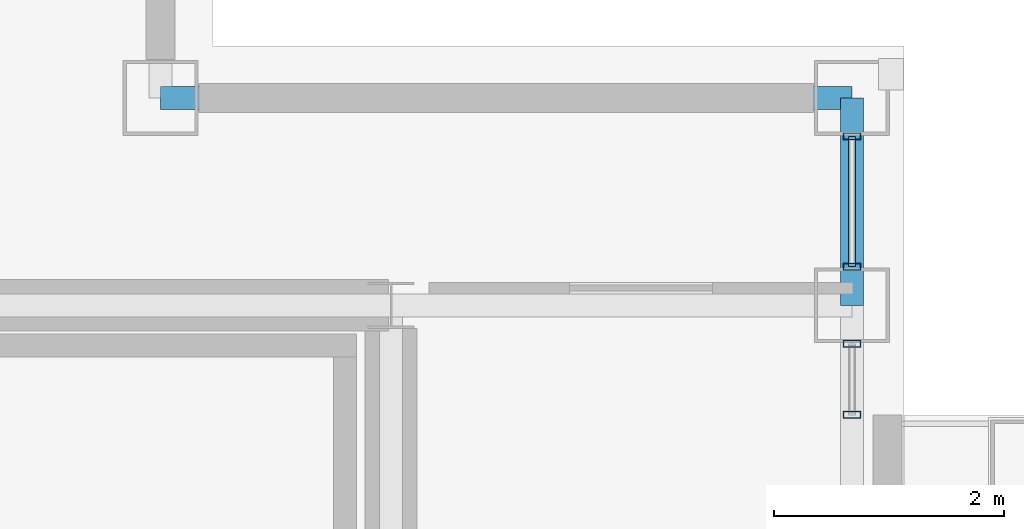
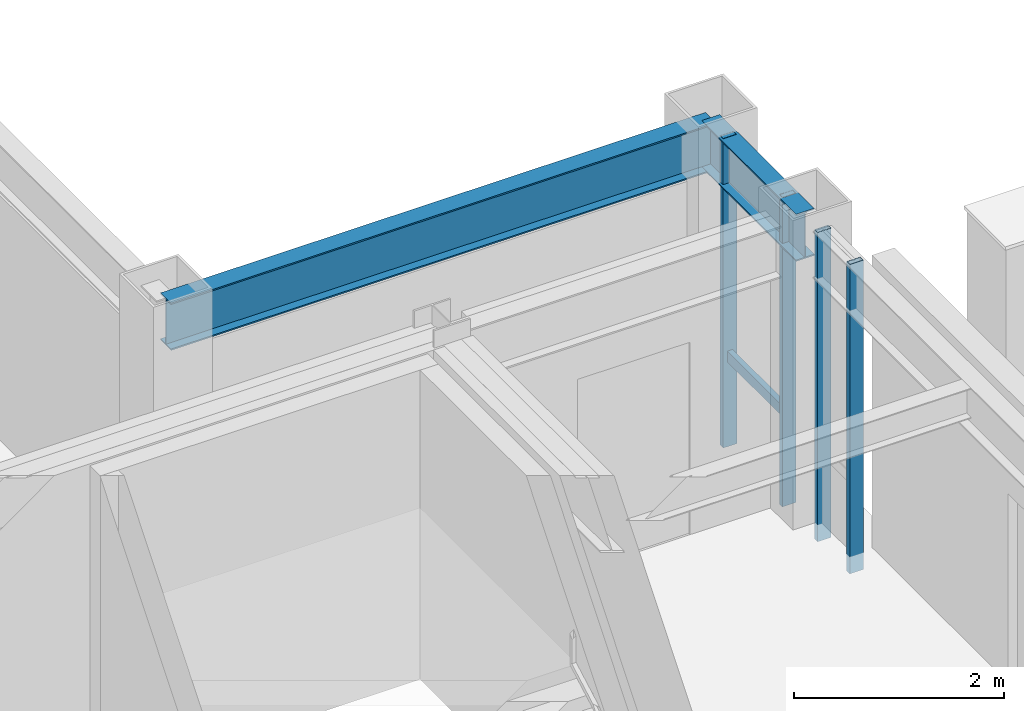
# One storey, part 13 of 24: 5 members, 2 beams, 2 elements without a shape of their own.
"""IFC4 building model written with IfcOpenShell, lengths in metres."""

import ifcopenshell
import ifcopenshell.guid

model = None  # the IFC model being written
_history = None  # IfcOwnerHistory: only IFC2X3 demands one
_inside = {}  # id of a spatial element -> (the spatial element, [elements in it])
_under = {}  # id of a project, library or spatial element -> (it, [spatial elements below it])
_declared = {}  # id of a project -> (the project, [libraries it declares])
_typed = {}  # id of a type object -> (the type object, [elements of that type])
_made_of = {}  # id of a material, layer set ... -> (it, [elements and type objects made of it])


def new_model(schema):
    """Start an empty IFC model of exactly this schema.

    Asked for "IFC4X3", IfcOpenShell would pick the latest addendum, in which some entities
    have other attributes; the version numbers below select the first issue.
    IFC2X3 requires an IfcOwnerHistory on every rooted entity: one is made here for all.
    """
    global model, _history
    if schema == "IFC4X3":
        model = ifcopenshell.file(schema_version=(4, 3, 0, 0))
    else:
        model = ifcopenshell.file(schema=schema)
    _inside.clear()
    _under.clear()
    _declared.clear()
    _typed.clear()
    _made_of.clear()
    _history = None
    if model.schema == "IFC2X3":
        org = make("IfcOrganization", Name="unknown")
        user = make(
            "IfcPersonAndOrganization",
            ThePerson=make("IfcPerson", FamilyName="unknown"),
            TheOrganization=org,
        )
        app = make(
            "IfcApplication",
            ApplicationDeveloper=org,
            Version="unknown",
            ApplicationFullName="unknown",
            ApplicationIdentifier="unknown",
        )
        _history = make(
            "IfcOwnerHistory",
            OwningUser=user,
            OwningApplication=app,
            ChangeAction="ADDED",
            CreationDate=0,
        )
    return model


def make(cls, **values):
    """One entity of the class cls with the attributes given. An attribute that is None is left unset."""
    return model.create_entity(
        cls, **{name: value for name, value in values.items() if value is not None}
    )


def rooted(cls, **values):
    """An entity with a GlobalId (a new one), such as an element, a storey or a relation."""
    return make(cls, GlobalId=ifcopenshell.guid.new(), OwnerHistory=_history, **values)


def si_unit(unit_type, name, prefix=None):
    """IfcSIUnit, for example si_unit("LENGTHUNIT", "METRE", prefix="MILLI")."""
    return make("IfcSIUnit", UnitType=unit_type, Prefix=prefix, Name=name)


def assignment(units):
    """IfcUnitAssignment: the units of a project."""
    return None if units is None else make("IfcUnitAssignment", Units=units)


def point(xyz):
    """IfcCartesianPoint."""
    return None if xyz is None else make("IfcCartesianPoint", Coordinates=xyz)


def direction(xyz):
    """IfcDirection."""
    return None if xyz is None else make("IfcDirection", DirectionRatios=xyz)


def frame(location, z_axis=None, x_axis=None):
    """IfcAxis2Placement3D, a coordinate frame: its origin and axes. An axis left out is left unset."""
    return make(
        "IfcAxis2Placement3D",
        Location=point(location),
        Axis=direction(z_axis),
        RefDirection=direction(x_axis),
    )


def frame_2d(location, x_axis=None):
    """IfcAxis2Placement2D, a coordinate frame in the plane: its origin and x axis."""
    return make(
        "IfcAxis2Placement2D", Location=point(location), RefDirection=direction(x_axis)
    )


def origin():
    """The frame at (0, 0, 0) with its axes left unset."""
    return frame((0.0, 0.0, 0.0))


def origin_2d():
    """The frame at (0, 0) in the plane with its x axis left unset."""
    return frame_2d((0.0, 0.0))


def place(relative_to, where):
    """IfcLocalPlacement: puts the frame where relative to a parent placement (None: the world)."""
    return make(
        "IfcLocalPlacement", PlacementRelTo=relative_to, RelativePlacement=where
    )


def context(
    kind, dimensions, precision=None, world=None, true_north=None, identifier=None
):
    """IfcGeometricRepresentationContext, for example the 3D "Model" context."""
    return make(
        "IfcGeometricRepresentationContext",
        ContextIdentifier=identifier,
        ContextType=kind,
        CoordinateSpaceDimension=dimensions,
        Precision=precision,
        WorldCoordinateSystem=world,
        TrueNorth=true_north,
    )


def subcontext(parent, identifier, kind, view, scale=None):
    """IfcGeometricRepresentationSubContext, for example "Body" below "Model"."""
    return make(
        "IfcGeometricRepresentationSubContext",
        ContextIdentifier=identifier,
        ContextType=kind,
        ParentContext=parent,
        TargetScale=scale,
        TargetView=view,
    )


def project(units=None, contexts=None):
    """IfcProject with its units and contexts."""
    return rooted(
        "IfcProject",
        Name="project",
        RepresentationContexts=contexts,
        UnitsInContext=assignment(units),
    )


def spatial(cls, under=None, at=None, **own):
    """A site, building, storey or space (cls), placed at a placement, below another one or the project."""
    s = rooted(cls, ObjectPlacement=at, **own)
    if under is not None:
        _under.setdefault(under.id(), (under, []))[1].append(s)
    return s


def profile(cls, at=None, kind="AREA", **sizes):
    """A parametric profile (cls). Its sizes go by their IFC names, for example OverallWidth=200.0."""
    return make(cls, ProfileType=kind, Position=at, **sizes)


def hollow_rectangle(**sizes):
    """IfcRectangleHollowProfileDef."""
    return profile("IfcRectangleHollowProfileDef", **sizes)


def i_section(**sizes):
    """IfcIShapeProfileDef."""
    return profile("IfcIShapeProfileDef", **sizes)


def extrude(swept, where, along, depth):
    """IfcExtrudedAreaSolid: the profile swept, set in the frame where, extruded along a direction by depth."""
    return make(
        "IfcExtrudedAreaSolid",
        SweptArea=swept,
        Position=where,
        ExtrudedDirection=direction(along),
        Depth=depth,
    )


def shape(context_of_items, identifier, shape_type, items):
    """IfcShapeRepresentation: the items that make up one representation, for example the "Body"."""
    return make(
        "IfcShapeRepresentation",
        ContextOfItems=context_of_items,
        RepresentationIdentifier=identifier,
        RepresentationType=shape_type,
        Items=items,
    )


def material(Name=None, Category=None):
    """IfcMaterial."""
    return make("IfcMaterial", Name=Name, Category=Category)


def layer(
    of_material, thickness, ventilated=None, Name=None, Category=None, Priority=None
):
    """IfcMaterialLayer: one layer of a wall or slab, of a material (None: an air gap)."""
    return make(
        "IfcMaterialLayer",
        Material=of_material,
        LayerThickness=thickness,
        IsVentilated=ventilated,
        Name=Name,
        Category=Category,
        Priority=Priority,
    )


def layer_set(layers, Name=None):
    """IfcMaterialLayerSet."""
    return make("IfcMaterialLayerSet", MaterialLayers=layers, LayerSetName=Name)


def material_profile(
    of_material, cross_section, Name=None, Category=None, Priority=None
):
    """IfcMaterialProfile: a cross section and its material."""
    return make(
        "IfcMaterialProfile",
        Name=Name,
        Material=of_material,
        Profile=cross_section,
        Priority=Priority,
        Category=Category,
    )


def profile_set(profiles, Name=None, composite=None):
    """IfcMaterialProfileSet."""
    return make(
        "IfcMaterialProfileSet",
        Name=Name,
        MaterialProfiles=profiles,
        CompositeProfile=composite,
    )


def made_of(thing, what):
    """Note that an element or type object is made of a material, layer set ...; save() writes the relation."""
    if what is not None:
        _made_of.setdefault(what.id(), (what, []))[1].append(thing)
    return thing


def type_object(cls, material=None, **own):
    """A type object (cls), such as IfcWallType, which elements share."""
    return made_of(rooted(cls, **own), material)


def element(
    cls,
    number,
    at=None,
    inside=None,
    cuts=None,
    type_object=None,
    material=None,
    context=None,
    identifier="Body",
    shape_type=None,
    held_by="IfcProductDefinitionShape",
    body=None,
    shapes=None,
    **own,
):
    """One element of the class cls, such as IfcWall. Its Tag is "e" and its number.

    at: its placement. inside: the storey or other place that contains it. cuts: it is an
    opening in that element (IfcRelVoidsElement). A single representation is given by context,
    identifier, shape_type and body (its items); several are given by shapes. held_by: the class
    of the entity that holds the representations. save() writes the other relations.
    """
    e = rooted(cls, Tag="e%d" % number, ObjectPlacement=at, **own)
    if body is not None:
        shapes = [shape(context, identifier, shape_type, body)]
    if shapes is not None:
        e.Representation = make(held_by, Representations=shapes)
    if inside is not None:
        _inside.setdefault(inside.id(), (inside, []))[1].append(e)
    if cuts is not None:
        rooted(
            "IfcRelVoidsElement", RelatingBuildingElement=cuts, RelatedOpeningElement=e
        )
    if type_object is not None:
        _typed.setdefault(type_object.id(), (type_object, []))[1].append(e)
    return made_of(e, material)


def aggregate(whole, parts):
    """IfcRelAggregates: a whole, such as a stair, and the parts it consists of."""
    return rooted("IfcRelAggregates", RelatingObject=whole, RelatedObjects=parts)


def save(model, path):
    """Write the relations noted so far, then the file.

    IfcRelAggregates (storeys below a building ...), IfcRelContainedInSpatialStructure (elements
    in a storey), IfcRelDefinesByType, IfcRelAssociatesMaterial and IfcRelDeclares: one each for
    every whole, place, type object, material and project.
    """
    for whole, parts in _under.values():
        aggregate(whole, parts)
    for where, things in _inside.values():
        rooted(
            "IfcRelContainedInSpatialStructure",
            RelatedElements=things,
            RelatingStructure=where,
        )
    for kind, things in _typed.values():
        rooted("IfcRelDefinesByType", RelatedObjects=things, RelatingType=kind)
    for what, things in _made_of.values():
        rooted("IfcRelAssociatesMaterial", RelatedObjects=things, RelatingMaterial=what)
    for by, libraries in _declared.values():
        rooted("IfcRelDeclares", RelatingContext=by, RelatedDefinitions=libraries)
    model.write(path)


model = new_model("IFC4")

# Units and contexts
model_context = context("Model", 3, precision=1e-05, world=origin(), true_north=direction((0.0, 1.0)))
body_context = subcontext(model_context, "Body", "Model", "MODEL_VIEW")
ifc_project = project(units=[si_unit("LENGTHUNIT", "METRE"), si_unit("AREAUNIT", "SQUARE_METRE"), si_unit("VOLUMEUNIT", "CUBIC_METRE"), si_unit("PLANEANGLEUNIT", "RADIAN"), si_unit("MASSUNIT", "GRAM", prefix="KILO")], contexts=[model_context])

# Site, building, storey
site_placement = place(None, origin())
site = spatial("IfcSite", under=ifc_project, at=site_placement, CompositionType="ELEMENT")
building_placement = place(site_placement, origin())
building = spatial("IfcBuilding", under=site, at=building_placement, Name="Brelmoor Portico Tower", CompositionType="ELEMENT")
storey_placement = place(building_placement, frame((0.0, 0.0, 240.0)))
storey = spatial("IfcBuildingStorey", under=building, at=storey_placement, Name="L63", CompositionType="ELEMENT", Elevation=240.0)

# Beams
ifc_material_1 = material(Name="Steel Q355B", Category="steel")
ifc_material_profile_1 = material_profile(ifc_material_1, i_section(OverallWidth=0.199951171875, OverallDepth=0.550048828125, WebThickness=0.010009765625, FlangeThickness=0.01611328125, at=origin_2d()), Name="HN 550x200x10x16")
ifc_profile_set_1 = profile_set([ifc_material_profile_1], Name="Steel Q355B")
beam_type = type_object("IfcBeamType", Name="BM-SP-550", PredefinedType="SPANDREL", material=ifc_profile_set_1)
beam_1_placement = place(storey_placement, frame((12.550048828125, 11.550048828125, 3.125), z_axis=(1.0, 0.0, 0.0), x_axis=(0.0, 1.0, 0.0)))
element("IfcBeam", 1, at=beam_1_placement, inside=storey, type_object=beam_type, Name="L63 Perimeter Spandrel Beam SP-07", PredefinedType="SPANDREL", context=body_context, shape_type="SweptSolid", body=[
    extrude(i_section(OverallWidth=0.199951171875, OverallDepth=0.550048828125, WebThickness=0.010009765625, FlangeThickness=0.01611328125, at=origin_2d()), origin(), (0.0, 0.0, 1.0), 6.0),
])
beam_2_placement = place(storey_placement, frame((18.550048828125, 9.75, 3.125), z_axis=(0.0, 1.0, 0.0), x_axis=(-1.0, 0.0, 0.0)))
element("IfcBeam", 2, at=beam_2_placement, inside=storey, type_object=beam_type, Name="L63 Perimeter Spandrel Beam SP-20", PredefinedType="SPANDREL", context=body_context, shape_type="SweptSolid", body=[
    extrude(i_section(OverallWidth=0.199951171875, OverallDepth=0.550048828125, WebThickness=0.010009765625, FlangeThickness=0.01611328125, at=origin_2d()), origin(), (0.0, 0.0, 1.0), 1.800048828125),
])

# Curtain wall, members
ifc_material_2 = material(Name="Anodised Aluminium Alloy 6063-T6", Category="aluminium")
ifc_layer = layer(ifc_material_2, 0.179931640625)
ifc_layer_set = layer_set([ifc_layer], Name="Anodised Aluminium Alloy 6063-T6")
curtain_wall_type = type_object("IfcCurtainWallType", Name="CW-TOWER-Z4", PredefinedType="NOTDEFINED", material=ifc_layer_set)
curtain_wall_1_placement = place(storey_placement, origin())
curtain_wall_1 = element("IfcCurtainWall", 3, at=curtain_wall_1_placement, inside=storey, type_object=curtain_wall_type, Name="L63 Curtain Wall CW-L63-4R-1", PredefinedType="NOTDEFINED")
ifc_material_profile_2 = material_profile(ifc_material_2, hollow_rectangle(XDim=0.06005859375, YDim=0.14990234375, WallThickness=0.00390625, at=origin_2d()), Name="ALU MULLION 60x150")
ifc_profile_set_2 = profile_set([ifc_material_profile_2], Name="Anodised Aluminium Alloy 6063-T6")
member_type_1 = type_object("IfcMemberType", Name="MB-CW-MULL-150", PredefinedType="MULLION", material=ifc_profile_set_2)
member_1_placement = place(storey_placement, frame((18.550048828125, 8.800048828125, -0.199951171875), z_axis=(0.0, 0.0, 1.0), x_axis=(0.0, 1.0, 0.0)))
member_1 = element("IfcMember", 4, at=member_1_placement, type_object=member_type_1, Name="CW-L63-4R-1 Mullion 00", PredefinedType="MULLION", context=body_context, shape_type="SweptSolid", body=[
    extrude(hollow_rectangle(XDim=0.06005859375, YDim=0.14990234375, WallThickness=0.00390625, at=origin_2d()), origin(), (0.0, 0.0, 1.0), 3.599853515625),
])
member_2_placement = place(storey_placement, frame((18.550048828125, 9.4150390625, -0.199951171875), z_axis=(0.0, 0.0, 1.0), x_axis=(0.0, 1.0, 0.0)))
member_2 = element("IfcMember", 5, at=member_2_placement, type_object=member_type_1, Name="CW-L63-4R-1 Mullion 01", PredefinedType="MULLION", context=body_context, shape_type="SweptSolid", body=[
    extrude(hollow_rectangle(XDim=0.06005859375, YDim=0.14990234375, WallThickness=0.00390625, at=origin_2d()), origin(), (0.0, 0.0, 1.0), 3.599853515625),
])
aggregate(curtain_wall_1, [member_1, member_2])

curtain_wall_2_placement = place(storey_placement, origin())
curtain_wall_2 = element("IfcCurtainWall", 6, at=curtain_wall_2_placement, inside=storey, type_object=curtain_wall_type, Name="L63 Curtain Wall CW-L63-4R-2", PredefinedType="NOTDEFINED")
member_3_placement = place(storey_placement, frame((18.550048828125, 10.0849609375, -0.199951171875), z_axis=(0.0, 0.0, 1.0), x_axis=(0.0, 1.0, 0.0)))
member_3 = element("IfcMember", 7, at=member_3_placement, type_object=member_type_1, Name="CW-L63-4R-2 Mullion 00", PredefinedType="MULLION", context=body_context, shape_type="SweptSolid", body=[
    extrude(hollow_rectangle(XDim=0.06005859375, YDim=0.14990234375, WallThickness=0.00390625, at=origin_2d()), origin(), (0.0, 0.0, 1.0), 3.599853515625),
])
member_4_placement = place(storey_placement, frame((18.550048828125, 11.215087890625, -0.199951171875), z_axis=(0.0, 0.0, 1.0), x_axis=(0.0, 1.0, 0.0)))
member_4 = element("IfcMember", 8, at=member_4_placement, type_object=member_type_1, Name="CW-L63-4R-2 Mullion 01", PredefinedType="MULLION", context=body_context, shape_type="SweptSolid", body=[
    extrude(hollow_rectangle(XDim=0.06005859375, YDim=0.14990234375, WallThickness=0.00390625, at=origin_2d()), origin(), (0.0, 0.0, 1.0), 3.599853515625),
])
ifc_material_profile_3 = material_profile(ifc_material_2, hollow_rectangle(XDim=0.06005859375, YDim=0.125, WallThickness=0.00341796875, at=origin_2d()), Name="ALU TRANSOM 60x125")
ifc_profile_set_3 = profile_set([ifc_material_profile_3], Name="Anodised Aluminium Alloy 6063-T6")
member_type_2 = type_object("IfcMemberType", Name="MB-CW-TRAN-125", PredefinedType="USERDEFINED", material=ifc_profile_set_3)
member_5_placement = place(storey_placement, frame((18.550048828125, 10.0849609375, 0.85009765625), z_axis=(0.0, 1.0, 0.0), x_axis=(-1.0, 0.0, 0.0)))
member_5 = element("IfcMember", 9, at=member_5_placement, type_object=member_type_2, Name="CW-L63-4R-2 Transom 1-00", ObjectType="TRANSOM", PredefinedType="USERDEFINED", context=body_context, shape_type="SweptSolid", body=[
    extrude(hollow_rectangle(XDim=0.06005859375, YDim=0.125, WallThickness=0.00341796875, at=origin_2d()), origin(), (0.0, 0.0, 1.0), 1.130126953125),
])
aggregate(curtain_wall_2, [member_3, member_4, member_5])

save(model, "model.ifc")
